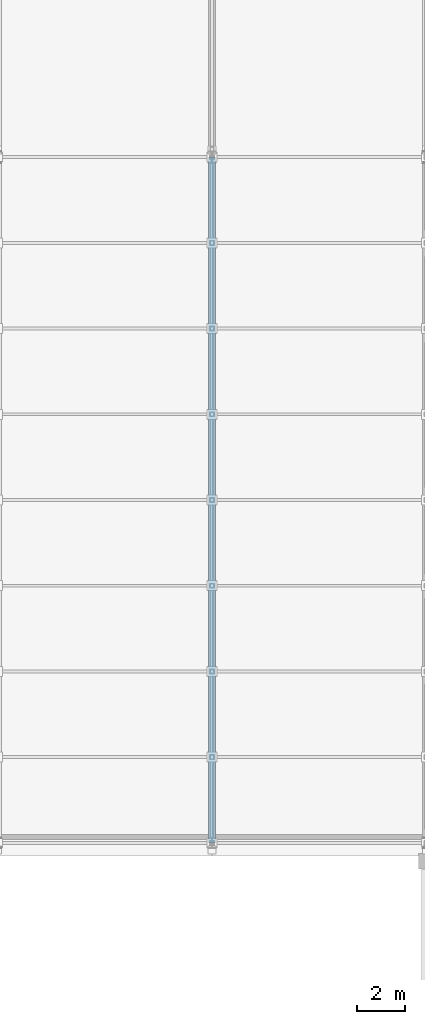
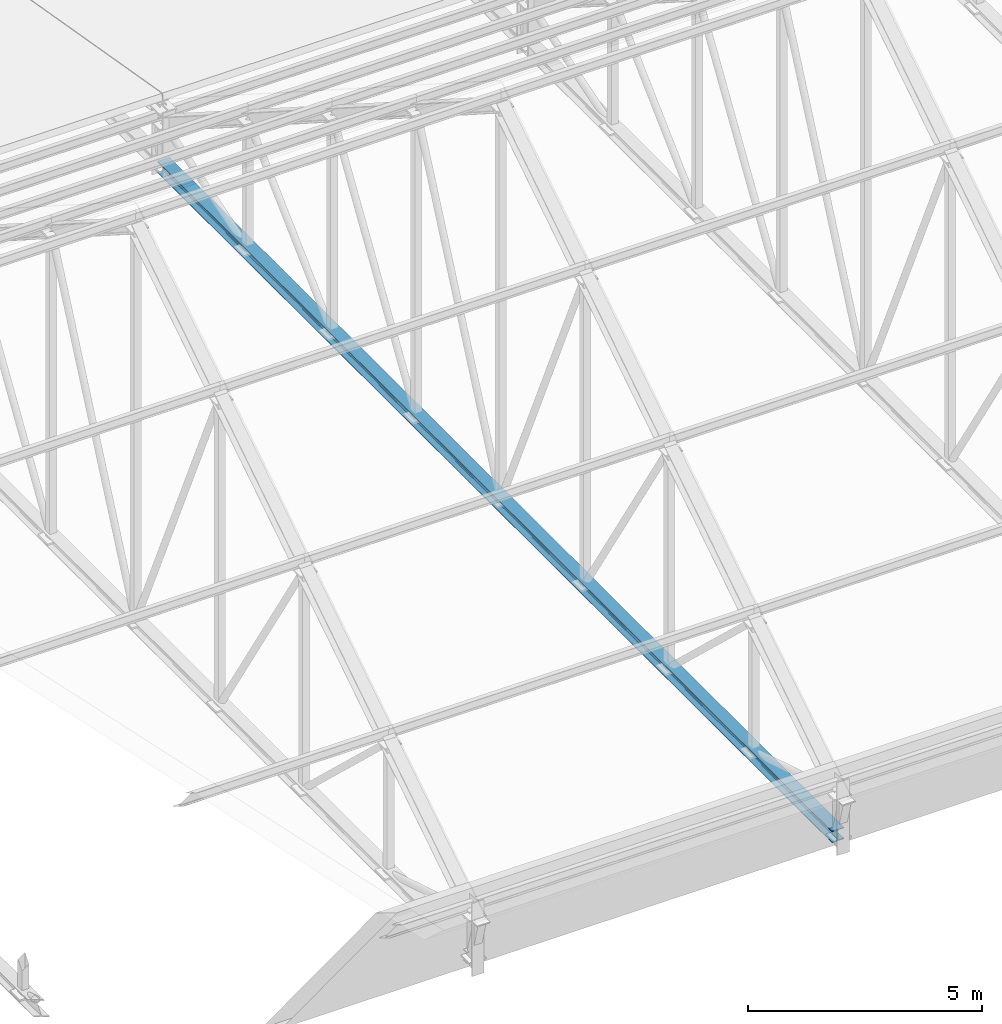
# One storey, part 107 of 182: 1 member.
"""IFC4 building model written with IfcOpenShell, lengths in metres."""

import ifcopenshell
import ifcopenshell.guid

model = None  # the IFC model being written
_history = None  # IfcOwnerHistory: only IFC2X3 demands one
_inside = {}  # id of a spatial element -> (the spatial element, [elements in it])
_under = {}  # id of a project, library or spatial element -> (it, [spatial elements below it])
_declared = {}  # id of a project -> (the project, [libraries it declares])
_typed = {}  # id of a type object -> (the type object, [elements of that type])
_made_of = {}  # id of a material, layer set ... -> (it, [elements and type objects made of it])


def new_model(schema):
    """Start an empty IFC model of exactly this schema.

    Asked for "IFC4X3", IfcOpenShell would pick the latest addendum, in which some entities
    have other attributes; the version numbers below select the first issue.
    IFC2X3 requires an IfcOwnerHistory on every rooted entity: one is made here for all.
    """
    global model, _history
    if schema == "IFC4X3":
        model = ifcopenshell.file(schema_version=(4, 3, 0, 0))
    else:
        model = ifcopenshell.file(schema=schema)
    _inside.clear()
    _under.clear()
    _declared.clear()
    _typed.clear()
    _made_of.clear()
    _history = None
    if model.schema == "IFC2X3":
        org = make("IfcOrganization", Name="unknown")
        user = make(
            "IfcPersonAndOrganization",
            ThePerson=make("IfcPerson", FamilyName="unknown"),
            TheOrganization=org,
        )
        app = make(
            "IfcApplication",
            ApplicationDeveloper=org,
            Version="unknown",
            ApplicationFullName="unknown",
            ApplicationIdentifier="unknown",
        )
        _history = make(
            "IfcOwnerHistory",
            OwningUser=user,
            OwningApplication=app,
            ChangeAction="ADDED",
            CreationDate=0,
        )
    return model


def make(cls, **values):
    """One entity of the class cls with the attributes given. An attribute that is None is left unset."""
    return model.create_entity(
        cls, **{name: value for name, value in values.items() if value is not None}
    )


def rooted(cls, **values):
    """An entity with a GlobalId (a new one), such as an element, a storey or a relation."""
    return make(cls, GlobalId=ifcopenshell.guid.new(), OwnerHistory=_history, **values)


def si_unit(unit_type, name, prefix=None):
    """IfcSIUnit, for example si_unit("LENGTHUNIT", "METRE", prefix="MILLI")."""
    return make("IfcSIUnit", UnitType=unit_type, Prefix=prefix, Name=name)


def assignment(units):
    """IfcUnitAssignment: the units of a project."""
    return None if units is None else make("IfcUnitAssignment", Units=units)


def point(xyz):
    """IfcCartesianPoint."""
    return None if xyz is None else make("IfcCartesianPoint", Coordinates=xyz)


def direction(xyz):
    """IfcDirection."""
    return None if xyz is None else make("IfcDirection", DirectionRatios=xyz)


def frame(location, z_axis=None, x_axis=None):
    """IfcAxis2Placement3D, a coordinate frame: its origin and axes. An axis left out is left unset."""
    return make(
        "IfcAxis2Placement3D",
        Location=point(location),
        Axis=direction(z_axis),
        RefDirection=direction(x_axis),
    )


def frame_2d(location, x_axis=None):
    """IfcAxis2Placement2D, a coordinate frame in the plane: its origin and x axis."""
    return make(
        "IfcAxis2Placement2D", Location=point(location), RefDirection=direction(x_axis)
    )


def origin():
    """The frame at (0, 0, 0) with its axes left unset."""
    return frame((0.0, 0.0, 0.0))


def origin_2d():
    """The frame at (0, 0) in the plane with its x axis left unset."""
    return frame_2d((0.0, 0.0))


def place(relative_to, where):
    """IfcLocalPlacement: puts the frame where relative to a parent placement (None: the world)."""
    return make(
        "IfcLocalPlacement", PlacementRelTo=relative_to, RelativePlacement=where
    )


def context(
    kind, dimensions, precision=None, world=None, true_north=None, identifier=None
):
    """IfcGeometricRepresentationContext, for example the 3D "Model" context."""
    return make(
        "IfcGeometricRepresentationContext",
        ContextIdentifier=identifier,
        ContextType=kind,
        CoordinateSpaceDimension=dimensions,
        Precision=precision,
        WorldCoordinateSystem=world,
        TrueNorth=true_north,
    )


def subcontext(parent, identifier, kind, view, scale=None):
    """IfcGeometricRepresentationSubContext, for example "Body" below "Model"."""
    return make(
        "IfcGeometricRepresentationSubContext",
        ContextIdentifier=identifier,
        ContextType=kind,
        ParentContext=parent,
        TargetScale=scale,
        TargetView=view,
    )


def project(units=None, contexts=None):
    """IfcProject with its units and contexts."""
    return rooted(
        "IfcProject",
        Name="project",
        RepresentationContexts=contexts,
        UnitsInContext=assignment(units),
    )


def spatial(cls, under=None, at=None, **own):
    """A site, building, storey or space (cls), placed at a placement, below another one or the project."""
    s = rooted(cls, ObjectPlacement=at, **own)
    if under is not None:
        _under.setdefault(under.id(), (under, []))[1].append(s)
    return s


def profile(cls, at=None, kind="AREA", **sizes):
    """A parametric profile (cls). Its sizes go by their IFC names, for example OverallWidth=200.0."""
    return make(cls, ProfileType=kind, Position=at, **sizes)


def i_section(**sizes):
    """IfcIShapeProfileDef."""
    return profile("IfcIShapeProfileDef", **sizes)


def extrude(swept, where, along, depth):
    """IfcExtrudedAreaSolid: the profile swept, set in the frame where, extruded along a direction by depth."""
    return make(
        "IfcExtrudedAreaSolid",
        SweptArea=swept,
        Position=where,
        ExtrudedDirection=direction(along),
        Depth=depth,
    )


def shape(context_of_items, identifier, shape_type, items):
    """IfcShapeRepresentation: the items that make up one representation, for example the "Body"."""
    return make(
        "IfcShapeRepresentation",
        ContextOfItems=context_of_items,
        RepresentationIdentifier=identifier,
        RepresentationType=shape_type,
        Items=items,
    )


def material(Name=None, Category=None):
    """IfcMaterial."""
    return make("IfcMaterial", Name=Name, Category=Category)


def material_profile(
    of_material, cross_section, Name=None, Category=None, Priority=None
):
    """IfcMaterialProfile: a cross section and its material."""
    return make(
        "IfcMaterialProfile",
        Name=Name,
        Material=of_material,
        Profile=cross_section,
        Priority=Priority,
        Category=Category,
    )


def profile_set(profiles, Name=None, composite=None):
    """IfcMaterialProfileSet."""
    return make(
        "IfcMaterialProfileSet",
        Name=Name,
        MaterialProfiles=profiles,
        CompositeProfile=composite,
    )


def made_of(thing, what):
    """Note that an element or type object is made of a material, layer set ...; save() writes the relation."""
    if what is not None:
        _made_of.setdefault(what.id(), (what, []))[1].append(thing)
    return thing


def type_object(cls, material=None, **own):
    """A type object (cls), such as IfcWallType, which elements share."""
    return made_of(rooted(cls, **own), material)


def element(
    cls,
    number,
    at=None,
    inside=None,
    cuts=None,
    type_object=None,
    material=None,
    context=None,
    identifier="Body",
    shape_type=None,
    held_by="IfcProductDefinitionShape",
    body=None,
    shapes=None,
    **own,
):
    """One element of the class cls, such as IfcWall. Its Tag is "e" and its number.

    at: its placement. inside: the storey or other place that contains it. cuts: it is an
    opening in that element (IfcRelVoidsElement). A single representation is given by context,
    identifier, shape_type and body (its items); several are given by shapes. held_by: the class
    of the entity that holds the representations. save() writes the other relations.
    """
    e = rooted(cls, Tag="e%d" % number, ObjectPlacement=at, **own)
    if body is not None:
        shapes = [shape(context, identifier, shape_type, body)]
    if shapes is not None:
        e.Representation = make(held_by, Representations=shapes)
    if inside is not None:
        _inside.setdefault(inside.id(), (inside, []))[1].append(e)
    if cuts is not None:
        rooted(
            "IfcRelVoidsElement", RelatingBuildingElement=cuts, RelatedOpeningElement=e
        )
    if type_object is not None:
        _typed.setdefault(type_object.id(), (type_object, []))[1].append(e)
    return made_of(e, material)


def aggregate(whole, parts):
    """IfcRelAggregates: a whole, such as a stair, and the parts it consists of."""
    return rooted("IfcRelAggregates", RelatingObject=whole, RelatedObjects=parts)


def save(model, path):
    """Write the relations noted so far, then the file.

    IfcRelAggregates (storeys below a building ...), IfcRelContainedInSpatialStructure (elements
    in a storey), IfcRelDefinesByType, IfcRelAssociatesMaterial and IfcRelDeclares: one each for
    every whole, place, type object, material and project.
    """
    for whole, parts in _under.values():
        aggregate(whole, parts)
    for where, things in _inside.values():
        rooted(
            "IfcRelContainedInSpatialStructure",
            RelatedElements=things,
            RelatingStructure=where,
        )
    for kind, things in _typed.values():
        rooted("IfcRelDefinesByType", RelatedObjects=things, RelatingType=kind)
    for what, things in _made_of.values():
        rooted("IfcRelAssociatesMaterial", RelatedObjects=things, RelatingMaterial=what)
    for by, libraries in _declared.values():
        rooted("IfcRelDeclares", RelatingContext=by, RelatedDefinitions=libraries)
    model.write(path)


model = new_model("IFC4")

# Units and contexts
model_context = context("Model", 3, precision=1e-05, world=origin(), true_north=direction((0.0, 1.0)))
body_context = subcontext(model_context, "Body", "Model", "MODEL_VIEW")
ifc_project = project(units=[si_unit("LENGTHUNIT", "METRE"), si_unit("AREAUNIT", "SQUARE_METRE"), si_unit("VOLUMEUNIT", "CUBIC_METRE"), si_unit("PLANEANGLEUNIT", "RADIAN"), si_unit("MASSUNIT", "GRAM", prefix="KILO")], contexts=[model_context])

# Site, building, storey
site_placement = place(None, origin())
site = spatial("IfcSite", under=ifc_project, at=site_placement, CompositionType="ELEMENT")
building_placement = place(site_placement, origin())
building = spatial("IfcBuilding", under=site, at=building_placement, Name="Chiffa Square Polytechnic", CompositionType="ELEMENT")
storey_placement = place(building_placement, frame((0.0, 0.0, 9.60009765625)))
storey = spatial("IfcBuildingStorey", under=building, at=storey_placement, Name="L02", CompositionType="ELEMENT", Elevation=9.60009765625)

# Member
ifc_material = material(Name="Steel S355", Category="steel")
ifc_material_profile = material_profile(ifc_material, i_section(OverallWidth=0.300048828125, OverallDepth=0.300048828125, WebThickness=0.010986328125, FlangeThickness=0.01904296875, FilletRadius=0.027099609375, at=origin_2d()), Name="HEB 300")
ifc_profile_set = profile_set([ifc_material_profile], Name="Steel S355")
member_type = type_object("IfcMemberType", Name="MEM-CHORD-HEB300", PredefinedType="CHORD", material=ifc_profile_set)
member_placement = place(storey_placement, frame((139.199951171875, 58.199951171875, 0.349853515625), z_axis=(0.0, 1.0, 0.0), x_axis=(-1.0, 0.0, 0.0)))
element("IfcMember", 1, at=member_placement, inside=storey, type_object=member_type, Name="Workshop roof truss bottom chord TCB-V2-04", PredefinedType="CHORD", context=body_context, shape_type="SweptSolid", body=[
    extrude(i_section(OverallWidth=0.300048828125, OverallDepth=0.300048828125, WebThickness=0.010986328125, FlangeThickness=0.01904296875, FilletRadius=0.027099609375, at=origin_2d()), origin(), (0.0, 0.0, 1.0), 28.800048828125),
])

save(model, "model.ifc")
